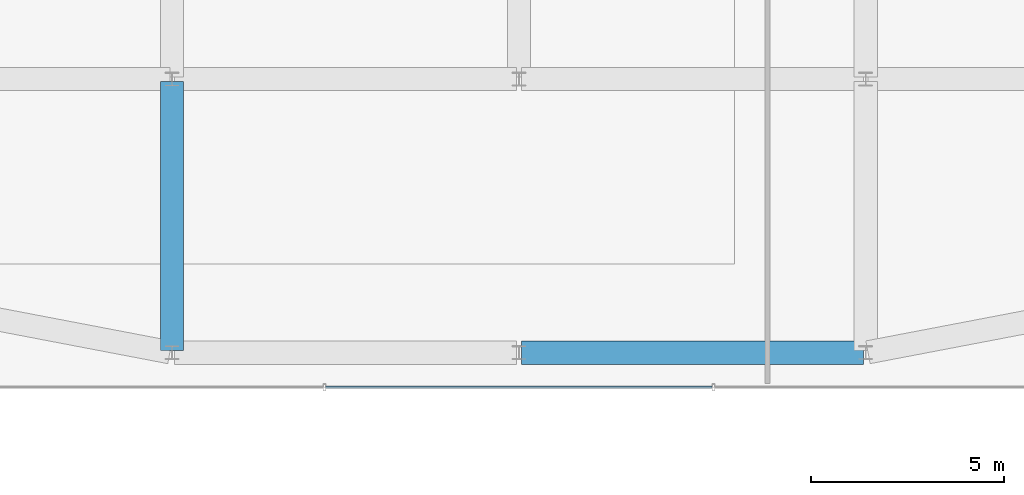
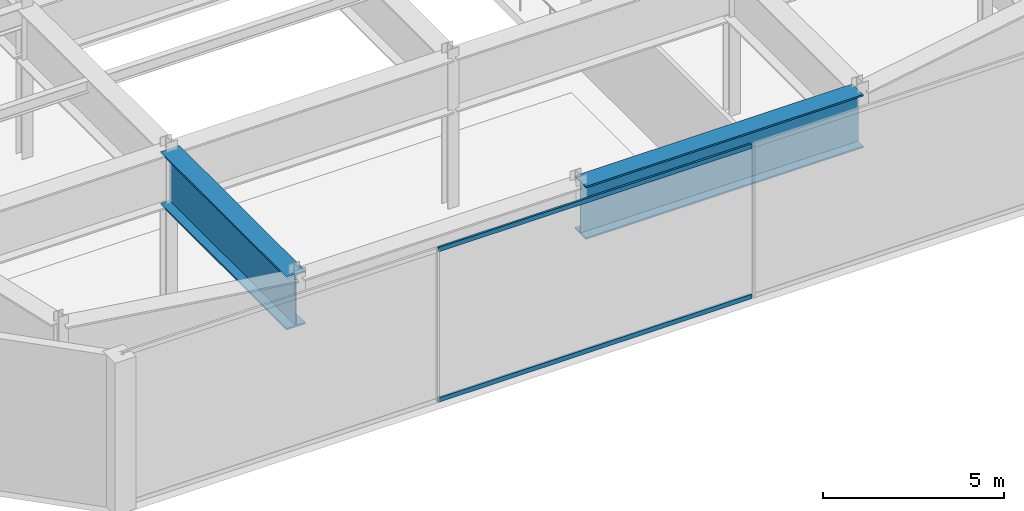
# One storey, part 34 of 53: 2 beams, 2 members, 1 element without a shape of its own.
"""IFC4 building model written with IfcOpenShell, lengths in metres."""

from ifc_helpers import new_model, si_unit, direction, frame, origin, origin_2d, place, context, subcontext, project, spatial, hollow_rectangle, i_section, extrude, material, material_profile, profile_set, type_object, element, aggregate, save


model = new_model("IFC4")

# Units and contexts
model_context = context("Model", 3, precision=1e-05, world=origin(), true_north=direction((0.0, 1.0)))
body_context = subcontext(model_context, "Body", "Model", "MODEL_VIEW")
ifc_project = project(units=[si_unit("LENGTHUNIT", "METRE"), si_unit("AREAUNIT", "SQUARE_METRE"), si_unit("VOLUMEUNIT", "CUBIC_METRE"), si_unit("PLANEANGLEUNIT", "RADIAN"), si_unit("MASSUNIT", "GRAM", prefix="KILO")], contexts=[model_context])

# Site, building, storey
site_placement = place(None, origin())
site = spatial("IfcSite", under=ifc_project, at=site_placement, CompositionType="ELEMENT")
building_placement = place(site_placement, origin())
building = spatial("IfcBuilding", under=site, at=building_placement, Name="Saevonmaru Cultural Tower", CompositionType="ELEMENT")
storey_placement = place(building_placement, frame((0.0, 0.0, 22.199951171875)))
storey = spatial("IfcBuildingStorey", under=building, at=storey_placement, Name="L04", CompositionType="ELEMENT", Elevation=22.199951171875)

# Beams
ifc_material_1 = material(Name="Steel HSA600 (600 MPa)", Category="steel")
ifc_material_profile_1 = material_profile(ifc_material_1, i_section(OverallWidth=0.60009765625, OverallDepth=1.800048828125, WebThickness=0.028076171875, FlangeThickness=0.054931640625, at=origin_2d()), Name="PG-1800x600x28x55")
ifc_profile_set_1 = profile_set([ifc_material_profile_1], Name="Steel HSA600 (600 MPa)")
beam_type = type_object("IfcBeamType", Name="BM-TG-PG1800", PredefinedType="BEAM", material=ifc_profile_set_1)
beam_1_placement = place(storey_placement, frame((90.260009765625, 8.89990234375, 4.199951171875), z_axis=(1.0, 0.0, 0.0), x_axis=(0.0, 1.0, 0.0)))
element("IfcBeam", 1, at=beam_1_placement, inside=storey, type_object=beam_type, Name="L04 Library Girder EW-1-3", PredefinedType="BEAM", context=body_context, shape_type="SweptSolid", body=[
    extrude(i_section(OverallWidth=0.60009765625, OverallDepth=1.800048828125, WebThickness=0.028076171875, FlangeThickness=0.054931640625, at=origin_2d()), origin(), (0.0, 0.0, 1.0), 8.8798828125),
])
beam_2_placement = place(storey_placement, frame((81.199951171875, 8.9599609375, 4.199951171875), z_axis=(0.0, 1.0, 0.0), x_axis=(-1.0, 0.0, 0.0)))
element("IfcBeam", 2, at=beam_2_placement, inside=storey, type_object=beam_type, Name="L04 Library Girder NS-2-1", PredefinedType="BEAM", context=body_context, shape_type="SweptSolid", body=[
    extrude(i_section(OverallWidth=0.60009765625, OverallDepth=1.800048828125, WebThickness=0.028076171875, FlangeThickness=0.054931640625, at=origin_2d()), origin(), (0.0, 0.0, 1.0), 6.97998046875),
])

# Curtain wall, members
ifc_material_2 = material(Name="Satin Bronze Anodised Aluminium", Category="aluminium")
curtain_wall_type = type_object("IfcCurtainWallType", Name="CW-LIB-GLZ", PredefinedType="NOTDEFINED", material=ifc_material_2)
curtain_wall_placement = place(storey_placement, origin())
curtain_wall = element("IfcCurtainWall", 3, at=curtain_wall_placement, inside=storey, type_object=curtain_wall_type, Name="L04 Central Library Reading Hall Curtain Wall 2", PredefinedType="NOTDEFINED")
ifc_material_profile_2 = material_profile(ifc_material_2, hollow_rectangle(XDim=0.06494140625, YDim=0.14990234375, WallThickness=0.00390625, at=origin_2d()), Name="ALU-TRAN-150x65x4")
ifc_profile_set_2 = profile_set([ifc_material_profile_2], Name="Satin Bronze Anodised Aluminium")
member_type = type_object("IfcMemberType", Name="TR-CW-150x65", PredefinedType="USERDEFINED", material=ifc_profile_set_2)
member_1_placement = place(storey_placement, frame((85.185791015625, 8.0, 0.032470703125), z_axis=(1.0, 0.0, 0.0), x_axis=(0.0, 1.0, 0.0)))
member_1 = element("IfcMember", 4, at=member_1_placement, type_object=member_type, Name="CW-LIB-2-L04 transom 2.1", ObjectType="TRANSOM", PredefinedType="USERDEFINED", context=body_context, shape_type="SweptSolid", body=[
    extrude(hollow_rectangle(XDim=0.06494140625, YDim=0.14990234375, WallThickness=0.00390625, at=origin_2d()), origin(), (0.0, 0.0, 1.0), 10.0283203125),
])
member_2_placement = place(storey_placement, frame((85.185791015625, 8.0, 5.117431640625), z_axis=(1.0, 0.0, 0.0), x_axis=(0.0, 1.0, 0.0)))
member_2 = element("IfcMember", 5, at=member_2_placement, type_object=member_type, Name="CW-LIB-2-L04 transom 2.2", ObjectType="TRANSOM", PredefinedType="USERDEFINED", context=body_context, shape_type="SweptSolid", body=[
    extrude(hollow_rectangle(XDim=0.06494140625, YDim=0.14990234375, WallThickness=0.00390625, at=origin_2d()), origin(), (0.0, 0.0, 1.0), 10.0283203125),
])
aggregate(curtain_wall, [member_1, member_2])

save(model, "model.ifc")
